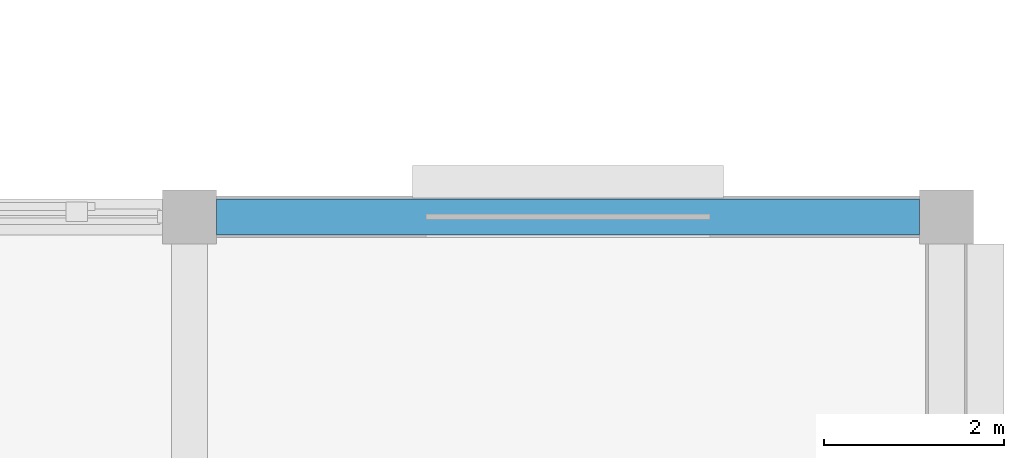
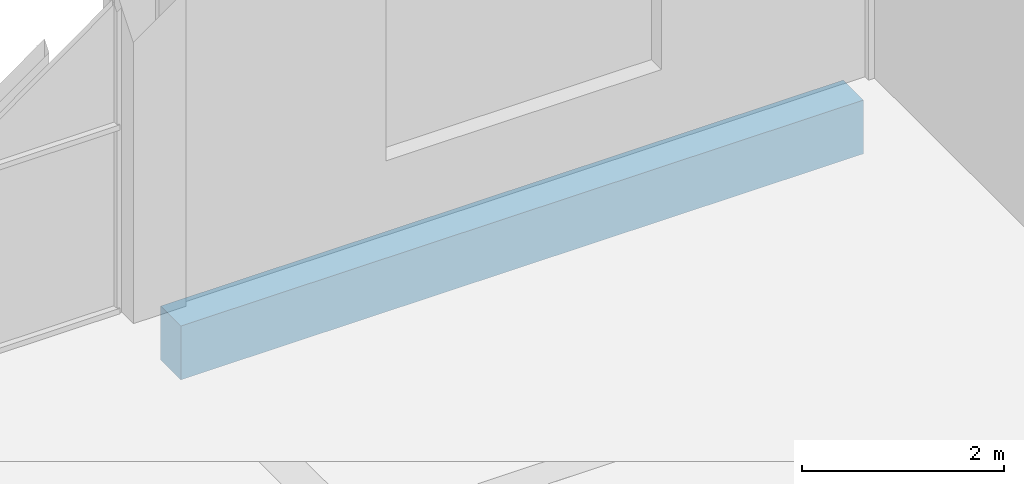
# One storey, part 15 of 37: 1 beam.
"""IFC4 building model written with IfcOpenShell, lengths in metres."""

from ifc_helpers import new_model, si_unit, direction, frame, origin, origin_2d, place, context, subcontext, project, spatial, rectangle, extrude, material, material_profile, profile_set, type_object, element, save


model = new_model("IFC4")

# Units and contexts
model_context = context("Model", 3, precision=1e-05, world=origin(), true_north=direction((0.0, 1.0)))
body_context = subcontext(model_context, "Body", "Model", "MODEL_VIEW")
ifc_project = project(units=[si_unit("LENGTHUNIT", "METRE"), si_unit("AREAUNIT", "SQUARE_METRE"), si_unit("VOLUMEUNIT", "CUBIC_METRE"), si_unit("PLANEANGLEUNIT", "RADIAN"), si_unit("MASSUNIT", "GRAM", prefix="KILO")], contexts=[model_context])

# Site, building, storey
site_placement = place(None, origin())
site = spatial("IfcSite", under=ifc_project, at=site_placement, CompositionType="ELEMENT")
building_placement = place(site_placement, origin())
building = spatial("IfcBuilding", under=site, at=building_placement, Name="Shalvenor Court Art Gallery", CompositionType="ELEMENT")
storey_placement = place(building_placement, frame((0.0, 0.0, 22.199951171875)))
storey = spatial("IfcBuildingStorey", under=building, at=storey_placement, Name="L04", CompositionType="ELEMENT", Elevation=22.199951171875)

# Beam
ifc_material = material(Name="Concrete C40/50", Category="concrete")
ifc_material_profile = material_profile(ifc_material, rectangle(XDim=0.39990234375, YDim=0.64990234375, at=origin_2d()), Name="RC 400x650")
ifc_profile_set = profile_set([ifc_material_profile], Name="Concrete C40/50")
beam_type = type_object("IfcBeamType", Name="B-06", PredefinedType="BEAM", material=ifc_profile_set)
beam_placement = place(storey_placement, frame((168.300048828125, 97.199951171875, -0.625), z_axis=(1.0, 0.0, 0.0), x_axis=(0.0, 1.0, 0.0)))
element("IfcBeam", 1, at=beam_placement, inside=storey, type_object=beam_type, Name="L04 Girder BM-L04-B-06-1247", PredefinedType="BEAM", context=body_context, shape_type="SweptSolid", body=[
    extrude(rectangle(XDim=0.39990234375, YDim=0.64990234375, at=origin_2d()), origin(), (0.0, 0.0, 1.0), 7.800048828125),
])

save(model, "model.ifc")
